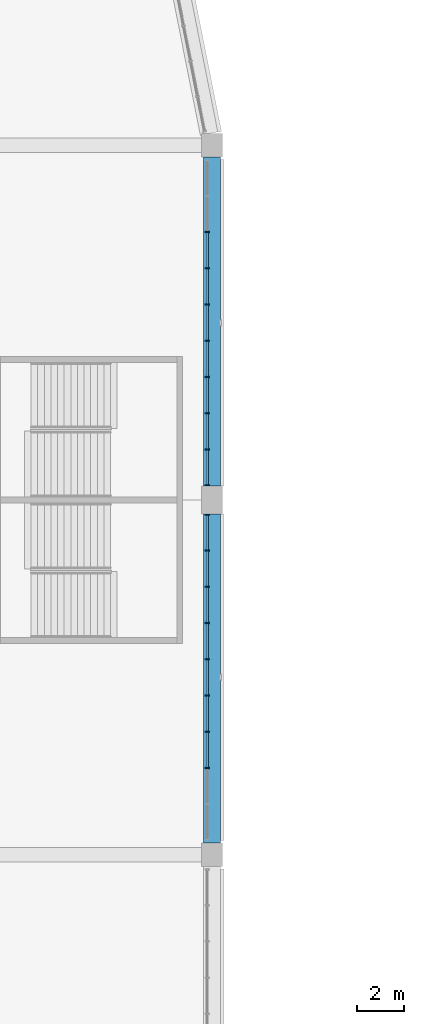
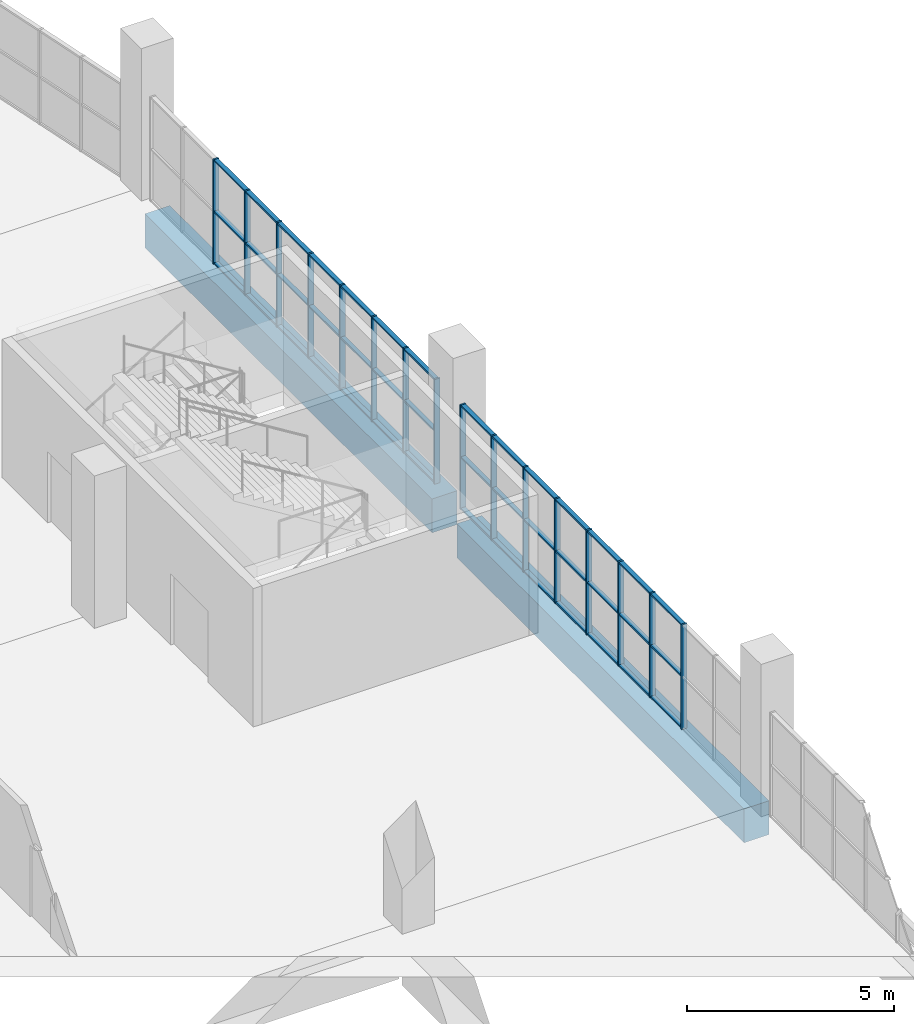
# One storey, part 49 of 199: 58 members, 2 beams, 2 elements without a shape of their own.
"""IFC4 building model written with IfcOpenShell, lengths in metres."""

from ifc_helpers import new_model, si_unit, direction, frame, origin, origin_2d, place, context, subcontext, project, spatial, rectangle, extrude, material, material_profile, profile_set, type_object, element, aggregate, save


model = new_model("IFC4")

# Units and contexts
model_context = context("Model", 3, precision=1e-05, world=origin(), true_north=direction((0.0, 1.0)))
body_context = subcontext(model_context, "Body", "Model", "MODEL_VIEW")
ifc_project = project(units=[si_unit("LENGTHUNIT", "METRE"), si_unit("AREAUNIT", "SQUARE_METRE"), si_unit("VOLUMEUNIT", "CUBIC_METRE"), si_unit("PLANEANGLEUNIT", "RADIAN"), si_unit("MASSUNIT", "GRAM", prefix="KILO")], contexts=[model_context])

# Site, building, storey
site_placement = place(None, origin())
site = spatial("IfcSite", under=ifc_project, at=site_placement, CompositionType="ELEMENT")
building_placement = place(site_placement, origin())
building = spatial("IfcBuilding", under=site, at=building_placement, Name="Ogive Plaza Stadium", CompositionType="ELEMENT")
storey_placement = place(building_placement, frame((0.0, 0.0, 4.5)))
storey = spatial("IfcBuildingStorey", under=building, at=storey_placement, Name="L01", CompositionType="ELEMENT", Elevation=4.5)

# Curtain wall, members
ifc_material_1 = material(Name="Bronze-anodised aluminium with laminated glass", Category="aluminium")
curtain_wall_type = type_object("IfcCurtainWallType", Name="Lancet curtain wall", PredefinedType="NOTDEFINED", material=ifc_material_1)
curtain_wall_1_placement = place(storey_placement, origin())
curtain_wall_1 = element("IfcCurtainWall", 1, at=curtain_wall_1_placement, inside=storey, type_object=curtain_wall_type, Name="CURTAIN WALL B01 L01", PredefinedType="NOTDEFINED")
ifc_material_2 = material(Name="Bronze-anodised aluminium", Category="aluminium")
ifc_material_profile_1 = material_profile(ifc_material_2, rectangle(XDim=0.14990234375, YDim=0.050048828125, at=origin_2d()), Name="AL 150x50")
ifc_profile_set_1 = profile_set([ifc_material_profile_1], Name="Bronze-anodised aluminium")
member_type_1 = type_object("IfcMemberType", Name="Curtain wall mullion 50x150", PredefinedType="MULLION", material=ifc_profile_set_1)
member_1_placement = place(storey_placement, frame((83.800048828125, 48.833251953125, 0.0), z_axis=(0.0, 0.0, 1.0), x_axis=(1.0, 0.0, 0.0)))
member_1 = element("IfcMember", 2, at=member_1_placement, type_object=member_type_1, Name="CW-B01-L01 mullion 3", PredefinedType="MULLION", context=body_context, shape_type="SweptSolid", body=[
    extrude(rectangle(XDim=0.14990234375, YDim=0.050048828125, at=origin_2d()), origin(), (0.0, 0.0, 1.0), 3.090087890625),
])
member_2_placement = place(storey_placement, frame((83.800048828125, 47.300048828125, 0.0), z_axis=(0.0, 0.0, 1.0), x_axis=(1.0, 0.0, 0.0)))
member_2 = element("IfcMember", 3, at=member_2_placement, type_object=member_type_1, Name="CW-B01-L01 mullion 4", PredefinedType="MULLION", context=body_context, shape_type="SweptSolid", body=[
    extrude(rectangle(XDim=0.14990234375, YDim=0.050048828125, at=origin_2d()), origin(), (0.0, 0.0, 1.0), 3.090087890625),
])
member_3_placement = place(storey_placement, frame((83.800048828125, 45.7666015625, 0.0), z_axis=(0.0, 0.0, 1.0), x_axis=(1.0, 0.0, 0.0)))
member_3 = element("IfcMember", 4, at=member_3_placement, type_object=member_type_1, Name="CW-B01-L01 mullion 5", PredefinedType="MULLION", context=body_context, shape_type="SweptSolid", body=[
    extrude(rectangle(XDim=0.14990234375, YDim=0.050048828125, at=origin_2d()), origin(), (0.0, 0.0, 1.0), 3.090087890625),
])
member_4_placement = place(storey_placement, frame((83.800048828125, 44.2333984375, 0.0), z_axis=(0.0, 0.0, 1.0), x_axis=(1.0, 0.0, 0.0)))
member_4 = element("IfcMember", 5, at=member_4_placement, type_object=member_type_1, Name="CW-B01-L01 mullion 6", PredefinedType="MULLION", context=body_context, shape_type="SweptSolid", body=[
    extrude(rectangle(XDim=0.14990234375, YDim=0.050048828125, at=origin_2d()), origin(), (0.0, 0.0, 1.0), 3.090087890625),
])
member_5_placement = place(storey_placement, frame((83.800048828125, 42.699951171875, 0.0), z_axis=(0.0, 0.0, 1.0), x_axis=(1.0, 0.0, 0.0)))
member_5 = element("IfcMember", 6, at=member_5_placement, type_object=member_type_1, Name="CW-B01-L01 mullion 7", PredefinedType="MULLION", context=body_context, shape_type="SweptSolid", body=[
    extrude(rectangle(XDim=0.14990234375, YDim=0.050048828125, at=origin_2d()), origin(), (0.0, 0.0, 1.0), 3.090087890625),
])
member_6_placement = place(storey_placement, frame((83.800048828125, 41.166748046875, 0.0), z_axis=(0.0, 0.0, 1.0), x_axis=(1.0, 0.0, 0.0)))
member_6 = element("IfcMember", 7, at=member_6_placement, type_object=member_type_1, Name="CW-B01-L01 mullion 8", PredefinedType="MULLION", context=body_context, shape_type="SweptSolid", body=[
    extrude(rectangle(XDim=0.14990234375, YDim=0.050048828125, at=origin_2d()), origin(), (0.0, 0.0, 1.0), 3.090087890625),
])
member_7_placement = place(storey_placement, frame((83.800048828125, 39.63330078125, 0.0), z_axis=(0.0, 0.0, 1.0), x_axis=(1.0, 0.0, 0.0)))
member_7 = element("IfcMember", 8, at=member_7_placement, type_object=member_type_1, Name="CW-B01-L01 mullion 9", PredefinedType="MULLION", context=body_context, shape_type="SweptSolid", body=[
    extrude(rectangle(XDim=0.14990234375, YDim=0.050048828125, at=origin_2d()), origin(), (0.0, 0.0, 1.0), 3.090087890625),
])
member_8_placement = place(storey_placement, frame((83.800048828125, 38.125, 0.0), z_axis=(0.0, 0.0, 1.0), x_axis=(1.0, 0.0, 0.0)))
member_8 = element("IfcMember", 9, at=member_8_placement, type_object=member_type_1, Name="CW-B01-L01 mullion 10", PredefinedType="MULLION", context=body_context, shape_type="SweptSolid", body=[
    extrude(rectangle(XDim=0.14990234375, YDim=0.050048828125, at=origin_2d()), origin(), (0.0, 0.0, 1.0), 3.090087890625),
])

curtain_wall_2_placement = place(storey_placement, origin())
curtain_wall_2 = element("IfcCurtainWall", 10, at=curtain_wall_2_placement, inside=storey, type_object=curtain_wall_type, Name="CURTAIN WALL B02 L01", PredefinedType="NOTDEFINED")
member_9_placement = place(storey_placement, frame((83.800048828125, 36.875, 0.0), z_axis=(0.0, 0.0, 1.0), x_axis=(1.0, 0.0, 0.0)))
member_9 = element("IfcMember", 11, at=member_9_placement, type_object=member_type_1, Name="CW-B02-L01 mullion 1", PredefinedType="MULLION", context=body_context, shape_type="SweptSolid", body=[
    extrude(rectangle(XDim=0.14990234375, YDim=0.050048828125, at=origin_2d()), origin(), (0.0, 0.0, 1.0), 3.090087890625),
])
member_10_placement = place(storey_placement, frame((83.800048828125, 35.36669921875, 0.0), z_axis=(0.0, 0.0, 1.0), x_axis=(1.0, 0.0, 0.0)))
member_10 = element("IfcMember", 12, at=member_10_placement, type_object=member_type_1, Name="CW-B02-L01 mullion 2", PredefinedType="MULLION", context=body_context, shape_type="SweptSolid", body=[
    extrude(rectangle(XDim=0.14990234375, YDim=0.050048828125, at=origin_2d()), origin(), (0.0, 0.0, 1.0), 3.090087890625),
])
member_11_placement = place(storey_placement, frame((83.800048828125, 33.833251953125, 0.0), z_axis=(0.0, 0.0, 1.0), x_axis=(1.0, 0.0, 0.0)))
member_11 = element("IfcMember", 13, at=member_11_placement, type_object=member_type_1, Name="CW-B02-L01 mullion 3", PredefinedType="MULLION", context=body_context, shape_type="SweptSolid", body=[
    extrude(rectangle(XDim=0.14990234375, YDim=0.050048828125, at=origin_2d()), origin(), (0.0, 0.0, 1.0), 3.090087890625),
])
member_12_placement = place(storey_placement, frame((83.800048828125, 32.300048828125, 0.0), z_axis=(0.0, 0.0, 1.0), x_axis=(1.0, 0.0, 0.0)))
member_12 = element("IfcMember", 14, at=member_12_placement, type_object=member_type_1, Name="CW-B02-L01 mullion 4", PredefinedType="MULLION", context=body_context, shape_type="SweptSolid", body=[
    extrude(rectangle(XDim=0.14990234375, YDim=0.050048828125, at=origin_2d()), origin(), (0.0, 0.0, 1.0), 3.090087890625),
])
member_13_placement = place(storey_placement, frame((83.800048828125, 30.7666015625, 0.0), z_axis=(0.0, 0.0, 1.0), x_axis=(1.0, 0.0, 0.0)))
member_13 = element("IfcMember", 15, at=member_13_placement, type_object=member_type_1, Name="CW-B02-L01 mullion 5", PredefinedType="MULLION", context=body_context, shape_type="SweptSolid", body=[
    extrude(rectangle(XDim=0.14990234375, YDim=0.050048828125, at=origin_2d()), origin(), (0.0, 0.0, 1.0), 3.090087890625),
])
member_14_placement = place(storey_placement, frame((83.800048828125, 29.2333984375, 0.0), z_axis=(0.0, 0.0, 1.0), x_axis=(1.0, 0.0, 0.0)))
member_14 = element("IfcMember", 16, at=member_14_placement, type_object=member_type_1, Name="CW-B02-L01 mullion 6", PredefinedType="MULLION", context=body_context, shape_type="SweptSolid", body=[
    extrude(rectangle(XDim=0.14990234375, YDim=0.050048828125, at=origin_2d()), origin(), (0.0, 0.0, 1.0), 3.090087890625),
])
member_15_placement = place(storey_placement, frame((83.800048828125, 27.699951171875, 0.0), z_axis=(0.0, 0.0, 1.0), x_axis=(1.0, 0.0, 0.0)))
member_15 = element("IfcMember", 17, at=member_15_placement, type_object=member_type_1, Name="CW-B02-L01 mullion 7", PredefinedType="MULLION", context=body_context, shape_type="SweptSolid", body=[
    extrude(rectangle(XDim=0.14990234375, YDim=0.050048828125, at=origin_2d()), origin(), (0.0, 0.0, 1.0), 3.090087890625),
])
member_16_placement = place(storey_placement, frame((83.800048828125, 26.166748046875, 0.0), z_axis=(0.0, 0.0, 1.0), x_axis=(1.0, 0.0, 0.0)))
member_16 = element("IfcMember", 18, at=member_16_placement, type_object=member_type_1, Name="CW-B02-L01 mullion 8", PredefinedType="MULLION", context=body_context, shape_type="SweptSolid", body=[
    extrude(rectangle(XDim=0.14990234375, YDim=0.050048828125, at=origin_2d()), origin(), (0.0, 0.0, 1.0), 3.090087890625),
])

# Member
ifc_material_3 = material(Name="Bronze-anodised aluminium", Category="aluminium")
ifc_material_profile_2 = material_profile(ifc_material_3, rectangle(XDim=0.1201171875, YDim=0.050048828125, at=origin_2d()), Name="AL 120x50")
ifc_profile_set_2 = profile_set([ifc_material_profile_2], Name="Bronze-anodised aluminium")
member_type_2 = type_object("IfcMemberType", Name="Curtain wall transom 50x120", PredefinedType="USERDEFINED", material=ifc_profile_set_2)
member_17_placement = place(storey_placement, frame((83.800048828125, 48.808349609375, 0.02490234375), z_axis=(0.0, -1.0, 0.0), x_axis=(1.0, 0.0, 0.0)))
member_17 = element("IfcMember", 19, at=member_17_placement, type_object=member_type_2, Name="CW-B01-L01 transom 3.1", ObjectType="TRANSOM", PredefinedType="USERDEFINED", context=body_context, shape_type="SweptSolid", body=[
    extrude(rectangle(XDim=0.1201171875, YDim=0.050048828125, at=origin_2d()), origin(), (0.0, 0.0, 1.0), 1.4833984375),
])

member_18_placement = place(storey_placement, frame((83.800048828125, 48.808349609375, 1.544921875), z_axis=(0.0, -1.0, 0.0), x_axis=(1.0, 0.0, 0.0)))
member_18 = element("IfcMember", 20, at=member_18_placement, type_object=member_type_2, Name="CW-B01-L01 transom 3.2", ObjectType="TRANSOM", PredefinedType="USERDEFINED", context=body_context, shape_type="SweptSolid", body=[
    extrude(rectangle(XDim=0.1201171875, YDim=0.050048828125, at=origin_2d()), origin(), (0.0, 0.0, 1.0), 1.4833984375),
])

member_19_placement = place(storey_placement, frame((83.800048828125, 48.808349609375, 3.06494140625), z_axis=(0.0, -1.0, 0.0), x_axis=(1.0, 0.0, 0.0)))
member_19 = element("IfcMember", 21, at=member_19_placement, type_object=member_type_2, Name="CW-B01-L01 transom 3.3", ObjectType="TRANSOM", PredefinedType="USERDEFINED", context=body_context, shape_type="SweptSolid", body=[
    extrude(rectangle(XDim=0.1201171875, YDim=0.050048828125, at=origin_2d()), origin(), (0.0, 0.0, 1.0), 1.4833984375),
])

member_20_placement = place(storey_placement, frame((83.800048828125, 47.27490234375, 0.02490234375), z_axis=(0.0, -1.0, 0.0), x_axis=(1.0, 0.0, 0.0)))
member_20 = element("IfcMember", 22, at=member_20_placement, type_object=member_type_2, Name="CW-B01-L01 transom 4.1", ObjectType="TRANSOM", PredefinedType="USERDEFINED", context=body_context, shape_type="SweptSolid", body=[
    extrude(rectangle(XDim=0.1201171875, YDim=0.050048828125, at=origin_2d()), origin(), (0.0, 0.0, 1.0), 1.483154296875),
])

member_21_placement = place(storey_placement, frame((83.800048828125, 47.27490234375, 1.544921875), z_axis=(0.0, -1.0, 0.0), x_axis=(1.0, 0.0, 0.0)))
member_21 = element("IfcMember", 23, at=member_21_placement, type_object=member_type_2, Name="CW-B01-L01 transom 4.2", ObjectType="TRANSOM", PredefinedType="USERDEFINED", context=body_context, shape_type="SweptSolid", body=[
    extrude(rectangle(XDim=0.1201171875, YDim=0.050048828125, at=origin_2d()), origin(), (0.0, 0.0, 1.0), 1.483154296875),
])

member_22_placement = place(storey_placement, frame((83.800048828125, 47.27490234375, 3.06494140625), z_axis=(0.0, -1.0, 0.0), x_axis=(1.0, 0.0, 0.0)))
member_22 = element("IfcMember", 24, at=member_22_placement, type_object=member_type_2, Name="CW-B01-L01 transom 4.3", ObjectType="TRANSOM", PredefinedType="USERDEFINED", context=body_context, shape_type="SweptSolid", body=[
    extrude(rectangle(XDim=0.1201171875, YDim=0.050048828125, at=origin_2d()), origin(), (0.0, 0.0, 1.0), 1.483154296875),
])

member_23_placement = place(storey_placement, frame((83.800048828125, 45.74169921875, 0.02490234375), z_axis=(0.0, -1.0, 0.0), x_axis=(1.0, 0.0, 0.0)))
member_23 = element("IfcMember", 25, at=member_23_placement, type_object=member_type_2, Name="CW-B01-L01 transom 5.1", ObjectType="TRANSOM", PredefinedType="USERDEFINED", context=body_context, shape_type="SweptSolid", body=[
    extrude(rectangle(XDim=0.1201171875, YDim=0.050048828125, at=origin_2d()), origin(), (0.0, 0.0, 1.0), 1.4833984375),
])

member_24_placement = place(storey_placement, frame((83.800048828125, 45.74169921875, 1.544921875), z_axis=(0.0, -1.0, 0.0), x_axis=(1.0, 0.0, 0.0)))
member_24 = element("IfcMember", 26, at=member_24_placement, type_object=member_type_2, Name="CW-B01-L01 transom 5.2", ObjectType="TRANSOM", PredefinedType="USERDEFINED", context=body_context, shape_type="SweptSolid", body=[
    extrude(rectangle(XDim=0.1201171875, YDim=0.050048828125, at=origin_2d()), origin(), (0.0, 0.0, 1.0), 1.4833984375),
])

member_25_placement = place(storey_placement, frame((83.800048828125, 45.74169921875, 3.06494140625), z_axis=(0.0, -1.0, 0.0), x_axis=(1.0, 0.0, 0.0)))
member_25 = element("IfcMember", 27, at=member_25_placement, type_object=member_type_2, Name="CW-B01-L01 transom 5.3", ObjectType="TRANSOM", PredefinedType="USERDEFINED", context=body_context, shape_type="SweptSolid", body=[
    extrude(rectangle(XDim=0.1201171875, YDim=0.050048828125, at=origin_2d()), origin(), (0.0, 0.0, 1.0), 1.4833984375),
])

member_26_placement = place(storey_placement, frame((83.800048828125, 44.208251953125, 0.02490234375), z_axis=(0.0, -1.0, 0.0), x_axis=(1.0, 0.0, 0.0)))
member_26 = element("IfcMember", 28, at=member_26_placement, type_object=member_type_2, Name="CW-B01-L01 transom 6.1", ObjectType="TRANSOM", PredefinedType="USERDEFINED", context=body_context, shape_type="SweptSolid", body=[
    extrude(rectangle(XDim=0.1201171875, YDim=0.050048828125, at=origin_2d()), origin(), (0.0, 0.0, 1.0), 1.483154296875),
])

member_27_placement = place(storey_placement, frame((83.800048828125, 44.208251953125, 1.544921875), z_axis=(0.0, -1.0, 0.0), x_axis=(1.0, 0.0, 0.0)))
member_27 = element("IfcMember", 29, at=member_27_placement, type_object=member_type_2, Name="CW-B01-L01 transom 6.2", ObjectType="TRANSOM", PredefinedType="USERDEFINED", context=body_context, shape_type="SweptSolid", body=[
    extrude(rectangle(XDim=0.1201171875, YDim=0.050048828125, at=origin_2d()), origin(), (0.0, 0.0, 1.0), 1.483154296875),
])

member_28_placement = place(storey_placement, frame((83.800048828125, 44.208251953125, 3.06494140625), z_axis=(0.0, -1.0, 0.0), x_axis=(1.0, 0.0, 0.0)))
member_28 = element("IfcMember", 30, at=member_28_placement, type_object=member_type_2, Name="CW-B01-L01 transom 6.3", ObjectType="TRANSOM", PredefinedType="USERDEFINED", context=body_context, shape_type="SweptSolid", body=[
    extrude(rectangle(XDim=0.1201171875, YDim=0.050048828125, at=origin_2d()), origin(), (0.0, 0.0, 1.0), 1.483154296875),
])

member_29_placement = place(storey_placement, frame((83.800048828125, 42.675048828125, 0.02490234375), z_axis=(0.0, -1.0, 0.0), x_axis=(1.0, 0.0, 0.0)))
member_29 = element("IfcMember", 31, at=member_29_placement, type_object=member_type_2, Name="CW-B01-L01 transom 7.1", ObjectType="TRANSOM", PredefinedType="USERDEFINED", context=body_context, shape_type="SweptSolid", body=[
    extrude(rectangle(XDim=0.1201171875, YDim=0.050048828125, at=origin_2d()), origin(), (0.0, 0.0, 1.0), 1.4833984375),
])

member_30_placement = place(storey_placement, frame((83.800048828125, 42.675048828125, 1.544921875), z_axis=(0.0, -1.0, 0.0), x_axis=(1.0, 0.0, 0.0)))
member_30 = element("IfcMember", 32, at=member_30_placement, type_object=member_type_2, Name="CW-B01-L01 transom 7.2", ObjectType="TRANSOM", PredefinedType="USERDEFINED", context=body_context, shape_type="SweptSolid", body=[
    extrude(rectangle(XDim=0.1201171875, YDim=0.050048828125, at=origin_2d()), origin(), (0.0, 0.0, 1.0), 1.4833984375),
])

member_31_placement = place(storey_placement, frame((83.800048828125, 42.675048828125, 3.06494140625), z_axis=(0.0, -1.0, 0.0), x_axis=(1.0, 0.0, 0.0)))
member_31 = element("IfcMember", 33, at=member_31_placement, type_object=member_type_2, Name="CW-B01-L01 transom 7.3", ObjectType="TRANSOM", PredefinedType="USERDEFINED", context=body_context, shape_type="SweptSolid", body=[
    extrude(rectangle(XDim=0.1201171875, YDim=0.050048828125, at=origin_2d()), origin(), (0.0, 0.0, 1.0), 1.4833984375),
])

member_32_placement = place(storey_placement, frame((83.800048828125, 41.1416015625, 0.02490234375), z_axis=(0.0, -1.0, 0.0), x_axis=(1.0, 0.0, 0.0)))
member_32 = element("IfcMember", 34, at=member_32_placement, type_object=member_type_2, Name="CW-B01-L01 transom 8.1", ObjectType="TRANSOM", PredefinedType="USERDEFINED", context=body_context, shape_type="SweptSolid", body=[
    extrude(rectangle(XDim=0.1201171875, YDim=0.050048828125, at=origin_2d()), origin(), (0.0, 0.0, 1.0), 1.483154296875),
])

member_33_placement = place(storey_placement, frame((83.800048828125, 41.1416015625, 1.544921875), z_axis=(0.0, -1.0, 0.0), x_axis=(1.0, 0.0, 0.0)))
member_33 = element("IfcMember", 35, at=member_33_placement, type_object=member_type_2, Name="CW-B01-L01 transom 8.2", ObjectType="TRANSOM", PredefinedType="USERDEFINED", context=body_context, shape_type="SweptSolid", body=[
    extrude(rectangle(XDim=0.1201171875, YDim=0.050048828125, at=origin_2d()), origin(), (0.0, 0.0, 1.0), 1.483154296875),
])

member_34_placement = place(storey_placement, frame((83.800048828125, 41.1416015625, 3.06494140625), z_axis=(0.0, -1.0, 0.0), x_axis=(1.0, 0.0, 0.0)))
member_34 = element("IfcMember", 36, at=member_34_placement, type_object=member_type_2, Name="CW-B01-L01 transom 8.3", ObjectType="TRANSOM", PredefinedType="USERDEFINED", context=body_context, shape_type="SweptSolid", body=[
    extrude(rectangle(XDim=0.1201171875, YDim=0.050048828125, at=origin_2d()), origin(), (0.0, 0.0, 1.0), 1.483154296875),
])

member_35_placement = place(storey_placement, frame((83.800048828125, 39.6083984375, 0.02490234375), z_axis=(0.0, -1.0, 0.0), x_axis=(1.0, 0.0, 0.0)))
member_35 = element("IfcMember", 37, at=member_35_placement, type_object=member_type_2, Name="CW-B01-L01 transom 9.1", ObjectType="TRANSOM", PredefinedType="USERDEFINED", context=body_context, shape_type="SweptSolid", body=[
    extrude(rectangle(XDim=0.1201171875, YDim=0.050048828125, at=origin_2d()), origin(), (0.0, 0.0, 1.0), 1.45849609375),
])

member_36_placement = place(storey_placement, frame((83.800048828125, 39.6083984375, 1.544921875), z_axis=(0.0, -1.0, 0.0), x_axis=(1.0, 0.0, 0.0)))
member_36 = element("IfcMember", 38, at=member_36_placement, type_object=member_type_2, Name="CW-B01-L01 transom 9.2", ObjectType="TRANSOM", PredefinedType="USERDEFINED", context=body_context, shape_type="SweptSolid", body=[
    extrude(rectangle(XDim=0.1201171875, YDim=0.050048828125, at=origin_2d()), origin(), (0.0, 0.0, 1.0), 1.45849609375),
])

member_37_placement = place(storey_placement, frame((83.800048828125, 39.6083984375, 3.06494140625), z_axis=(0.0, -1.0, 0.0), x_axis=(1.0, 0.0, 0.0)))
member_37 = element("IfcMember", 39, at=member_37_placement, type_object=member_type_2, Name="CW-B01-L01 transom 9.3", ObjectType="TRANSOM", PredefinedType="USERDEFINED", context=body_context, shape_type="SweptSolid", body=[
    extrude(rectangle(XDim=0.1201171875, YDim=0.050048828125, at=origin_2d()), origin(), (0.0, 0.0, 1.0), 1.45849609375),
])

aggregate(curtain_wall_1, [member_1, member_2, member_3, member_4, member_5, member_6, member_7, member_8, member_17, member_18, member_19, member_20, member_21, member_22, member_23, member_24, member_25, member_26, member_27, member_28, member_29, member_30, member_31, member_32, member_33, member_34, member_35, member_36, member_37])

member_38_placement = place(storey_placement, frame((83.800048828125, 36.85009765625, 0.02490234375), z_axis=(0.0, -1.0, 0.0), x_axis=(1.0, 0.0, 0.0)))
member_38 = element("IfcMember", 40, at=member_38_placement, type_object=member_type_2, Name="CW-B02-L01 transom 1.1", ObjectType="TRANSOM", PredefinedType="USERDEFINED", context=body_context, shape_type="SweptSolid", body=[
    extrude(rectangle(XDim=0.1201171875, YDim=0.050048828125, at=origin_2d()), origin(), (0.0, 0.0, 1.0), 1.45849609375),
])

member_39_placement = place(storey_placement, frame((83.800048828125, 36.85009765625, 1.544921875), z_axis=(0.0, -1.0, 0.0), x_axis=(1.0, 0.0, 0.0)))
member_39 = element("IfcMember", 41, at=member_39_placement, type_object=member_type_2, Name="CW-B02-L01 transom 1.2", ObjectType="TRANSOM", PredefinedType="USERDEFINED", context=body_context, shape_type="SweptSolid", body=[
    extrude(rectangle(XDim=0.1201171875, YDim=0.050048828125, at=origin_2d()), origin(), (0.0, 0.0, 1.0), 1.45849609375),
])

member_40_placement = place(storey_placement, frame((83.800048828125, 36.85009765625, 3.06494140625), z_axis=(0.0, -1.0, 0.0), x_axis=(1.0, 0.0, 0.0)))
member_40 = element("IfcMember", 42, at=member_40_placement, type_object=member_type_2, Name="CW-B02-L01 transom 1.3", ObjectType="TRANSOM", PredefinedType="USERDEFINED", context=body_context, shape_type="SweptSolid", body=[
    extrude(rectangle(XDim=0.1201171875, YDim=0.050048828125, at=origin_2d()), origin(), (0.0, 0.0, 1.0), 1.45849609375),
])

member_41_placement = place(storey_placement, frame((83.800048828125, 35.341552734375, 0.02490234375), z_axis=(0.0, -1.0, 0.0), x_axis=(1.0, 0.0, 0.0)))
member_41 = element("IfcMember", 43, at=member_41_placement, type_object=member_type_2, Name="CW-B02-L01 transom 2.1", ObjectType="TRANSOM", PredefinedType="USERDEFINED", context=body_context, shape_type="SweptSolid", body=[
    extrude(rectangle(XDim=0.1201171875, YDim=0.050048828125, at=origin_2d()), origin(), (0.0, 0.0, 1.0), 1.483154296875),
])

member_42_placement = place(storey_placement, frame((83.800048828125, 35.341552734375, 1.544921875), z_axis=(0.0, -1.0, 0.0), x_axis=(1.0, 0.0, 0.0)))
member_42 = element("IfcMember", 44, at=member_42_placement, type_object=member_type_2, Name="CW-B02-L01 transom 2.2", ObjectType="TRANSOM", PredefinedType="USERDEFINED", context=body_context, shape_type="SweptSolid", body=[
    extrude(rectangle(XDim=0.1201171875, YDim=0.050048828125, at=origin_2d()), origin(), (0.0, 0.0, 1.0), 1.483154296875),
])

member_43_placement = place(storey_placement, frame((83.800048828125, 35.341552734375, 3.06494140625), z_axis=(0.0, -1.0, 0.0), x_axis=(1.0, 0.0, 0.0)))
member_43 = element("IfcMember", 45, at=member_43_placement, type_object=member_type_2, Name="CW-B02-L01 transom 2.3", ObjectType="TRANSOM", PredefinedType="USERDEFINED", context=body_context, shape_type="SweptSolid", body=[
    extrude(rectangle(XDim=0.1201171875, YDim=0.050048828125, at=origin_2d()), origin(), (0.0, 0.0, 1.0), 1.483154296875),
])

member_44_placement = place(storey_placement, frame((83.800048828125, 33.808349609375, 0.02490234375), z_axis=(0.0, -1.0, 0.0), x_axis=(1.0, 0.0, 0.0)))
member_44 = element("IfcMember", 46, at=member_44_placement, type_object=member_type_2, Name="CW-B02-L01 transom 3.1", ObjectType="TRANSOM", PredefinedType="USERDEFINED", context=body_context, shape_type="SweptSolid", body=[
    extrude(rectangle(XDim=0.1201171875, YDim=0.050048828125, at=origin_2d()), origin(), (0.0, 0.0, 1.0), 1.4833984375),
])

member_45_placement = place(storey_placement, frame((83.800048828125, 33.808349609375, 1.544921875), z_axis=(0.0, -1.0, 0.0), x_axis=(1.0, 0.0, 0.0)))
member_45 = element("IfcMember", 47, at=member_45_placement, type_object=member_type_2, Name="CW-B02-L01 transom 3.2", ObjectType="TRANSOM", PredefinedType="USERDEFINED", context=body_context, shape_type="SweptSolid", body=[
    extrude(rectangle(XDim=0.1201171875, YDim=0.050048828125, at=origin_2d()), origin(), (0.0, 0.0, 1.0), 1.4833984375),
])

member_46_placement = place(storey_placement, frame((83.800048828125, 33.808349609375, 3.06494140625), z_axis=(0.0, -1.0, 0.0), x_axis=(1.0, 0.0, 0.0)))
member_46 = element("IfcMember", 48, at=member_46_placement, type_object=member_type_2, Name="CW-B02-L01 transom 3.3", ObjectType="TRANSOM", PredefinedType="USERDEFINED", context=body_context, shape_type="SweptSolid", body=[
    extrude(rectangle(XDim=0.1201171875, YDim=0.050048828125, at=origin_2d()), origin(), (0.0, 0.0, 1.0), 1.4833984375),
])

member_47_placement = place(storey_placement, frame((83.800048828125, 32.27490234375, 0.02490234375), z_axis=(0.0, -1.0, 0.0), x_axis=(1.0, 0.0, 0.0)))
member_47 = element("IfcMember", 49, at=member_47_placement, type_object=member_type_2, Name="CW-B02-L01 transom 4.1", ObjectType="TRANSOM", PredefinedType="USERDEFINED", context=body_context, shape_type="SweptSolid", body=[
    extrude(rectangle(XDim=0.1201171875, YDim=0.050048828125, at=origin_2d()), origin(), (0.0, 0.0, 1.0), 1.483154296875),
])

member_48_placement = place(storey_placement, frame((83.800048828125, 32.27490234375, 1.544921875), z_axis=(0.0, -1.0, 0.0), x_axis=(1.0, 0.0, 0.0)))
member_48 = element("IfcMember", 50, at=member_48_placement, type_object=member_type_2, Name="CW-B02-L01 transom 4.2", ObjectType="TRANSOM", PredefinedType="USERDEFINED", context=body_context, shape_type="SweptSolid", body=[
    extrude(rectangle(XDim=0.1201171875, YDim=0.050048828125, at=origin_2d()), origin(), (0.0, 0.0, 1.0), 1.483154296875),
])

member_49_placement = place(storey_placement, frame((83.800048828125, 32.27490234375, 3.06494140625), z_axis=(0.0, -1.0, 0.0), x_axis=(1.0, 0.0, 0.0)))
member_49 = element("IfcMember", 51, at=member_49_placement, type_object=member_type_2, Name="CW-B02-L01 transom 4.3", ObjectType="TRANSOM", PredefinedType="USERDEFINED", context=body_context, shape_type="SweptSolid", body=[
    extrude(rectangle(XDim=0.1201171875, YDim=0.050048828125, at=origin_2d()), origin(), (0.0, 0.0, 1.0), 1.483154296875),
])

member_50_placement = place(storey_placement, frame((83.800048828125, 30.74169921875, 0.02490234375), z_axis=(0.0, -1.0, 0.0), x_axis=(1.0, 0.0, 0.0)))
member_50 = element("IfcMember", 52, at=member_50_placement, type_object=member_type_2, Name="CW-B02-L01 transom 5.1", ObjectType="TRANSOM", PredefinedType="USERDEFINED", context=body_context, shape_type="SweptSolid", body=[
    extrude(rectangle(XDim=0.1201171875, YDim=0.050048828125, at=origin_2d()), origin(), (0.0, 0.0, 1.0), 1.4833984375),
])

member_51_placement = place(storey_placement, frame((83.800048828125, 30.74169921875, 1.544921875), z_axis=(0.0, -1.0, 0.0), x_axis=(1.0, 0.0, 0.0)))
member_51 = element("IfcMember", 53, at=member_51_placement, type_object=member_type_2, Name="CW-B02-L01 transom 5.2", ObjectType="TRANSOM", PredefinedType="USERDEFINED", context=body_context, shape_type="SweptSolid", body=[
    extrude(rectangle(XDim=0.1201171875, YDim=0.050048828125, at=origin_2d()), origin(), (0.0, 0.0, 1.0), 1.4833984375),
])

member_52_placement = place(storey_placement, frame((83.800048828125, 30.74169921875, 3.06494140625), z_axis=(0.0, -1.0, 0.0), x_axis=(1.0, 0.0, 0.0)))
member_52 = element("IfcMember", 54, at=member_52_placement, type_object=member_type_2, Name="CW-B02-L01 transom 5.3", ObjectType="TRANSOM", PredefinedType="USERDEFINED", context=body_context, shape_type="SweptSolid", body=[
    extrude(rectangle(XDim=0.1201171875, YDim=0.050048828125, at=origin_2d()), origin(), (0.0, 0.0, 1.0), 1.4833984375),
])

member_53_placement = place(storey_placement, frame((83.800048828125, 29.208251953125, 0.02490234375), z_axis=(0.0, -1.0, 0.0), x_axis=(1.0, 0.0, 0.0)))
member_53 = element("IfcMember", 55, at=member_53_placement, type_object=member_type_2, Name="CW-B02-L01 transom 6.1", ObjectType="TRANSOM", PredefinedType="USERDEFINED", context=body_context, shape_type="SweptSolid", body=[
    extrude(rectangle(XDim=0.1201171875, YDim=0.050048828125, at=origin_2d()), origin(), (0.0, 0.0, 1.0), 1.483154296875),
])

member_54_placement = place(storey_placement, frame((83.800048828125, 29.208251953125, 1.544921875), z_axis=(0.0, -1.0, 0.0), x_axis=(1.0, 0.0, 0.0)))
member_54 = element("IfcMember", 56, at=member_54_placement, type_object=member_type_2, Name="CW-B02-L01 transom 6.2", ObjectType="TRANSOM", PredefinedType="USERDEFINED", context=body_context, shape_type="SweptSolid", body=[
    extrude(rectangle(XDim=0.1201171875, YDim=0.050048828125, at=origin_2d()), origin(), (0.0, 0.0, 1.0), 1.483154296875),
])

member_55_placement = place(storey_placement, frame((83.800048828125, 29.208251953125, 3.06494140625), z_axis=(0.0, -1.0, 0.0), x_axis=(1.0, 0.0, 0.0)))
member_55 = element("IfcMember", 57, at=member_55_placement, type_object=member_type_2, Name="CW-B02-L01 transom 6.3", ObjectType="TRANSOM", PredefinedType="USERDEFINED", context=body_context, shape_type="SweptSolid", body=[
    extrude(rectangle(XDim=0.1201171875, YDim=0.050048828125, at=origin_2d()), origin(), (0.0, 0.0, 1.0), 1.483154296875),
])

member_56_placement = place(storey_placement, frame((83.800048828125, 27.675048828125, 0.02490234375), z_axis=(0.0, -1.0, 0.0), x_axis=(1.0, 0.0, 0.0)))
member_56 = element("IfcMember", 58, at=member_56_placement, type_object=member_type_2, Name="CW-B02-L01 transom 7.1", ObjectType="TRANSOM", PredefinedType="USERDEFINED", context=body_context, shape_type="SweptSolid", body=[
    extrude(rectangle(XDim=0.1201171875, YDim=0.050048828125, at=origin_2d()), origin(), (0.0, 0.0, 1.0), 1.4833984375),
])

member_57_placement = place(storey_placement, frame((83.800048828125, 27.675048828125, 1.544921875), z_axis=(0.0, -1.0, 0.0), x_axis=(1.0, 0.0, 0.0)))
member_57 = element("IfcMember", 59, at=member_57_placement, type_object=member_type_2, Name="CW-B02-L01 transom 7.2", ObjectType="TRANSOM", PredefinedType="USERDEFINED", context=body_context, shape_type="SweptSolid", body=[
    extrude(rectangle(XDim=0.1201171875, YDim=0.050048828125, at=origin_2d()), origin(), (0.0, 0.0, 1.0), 1.4833984375),
])

member_58_placement = place(storey_placement, frame((83.800048828125, 27.675048828125, 3.06494140625), z_axis=(0.0, -1.0, 0.0), x_axis=(1.0, 0.0, 0.0)))
member_58 = element("IfcMember", 60, at=member_58_placement, type_object=member_type_2, Name="CW-B02-L01 transom 7.3", ObjectType="TRANSOM", PredefinedType="USERDEFINED", context=body_context, shape_type="SweptSolid", body=[
    extrude(rectangle(XDim=0.1201171875, YDim=0.050048828125, at=origin_2d()), origin(), (0.0, 0.0, 1.0), 1.4833984375),
])

aggregate(curtain_wall_2, [member_9, member_10, member_11, member_12, member_13, member_14, member_15, member_16, member_38, member_39, member_40, member_41, member_42, member_43, member_44, member_45, member_46, member_47, member_48, member_49, member_50, member_51, member_52, member_53, member_54, member_55, member_56, member_57, member_58])

# Beams
ifc_material_4 = material(Name="Concrete C40/50", Category="concrete")
ifc_material_profile_3 = material_profile(ifc_material_4, rectangle(XDim=0.699951171875, YDim=1.0, at=origin_2d()), Name="RC 700x1000")
ifc_profile_set_3 = profile_set([ifc_material_profile_3], Name="Concrete C40/50")
beam_type = type_object("IfcBeamType", Name="RC spandrel beam 700x1000", PredefinedType="SPANDREL", material=ifc_profile_set_3)
for number, where, z_axis, x_axis, name in (
    (61, (84.0, 52.0, -0.909912109375), (0.0, -1.0, 0.0), (1.0, 0.0, 0.0), "Ring beam F5 L01 B01"),
    (62, (84.0, 36.89990234375, -0.909912109375), (0.0, -1.0, 0.0), (1.0, 0.0, 0.0), "Ring beam F5 L01 B02"),
):
    element("IfcBeam", number, at=place(storey_placement, frame(where, z_axis=z_axis, x_axis=x_axis)), inside=storey, type_object=beam_type, Name=name, PredefinedType="SPANDREL", context=body_context, shape_type="SweptSolid", body=[
        extrude(rectangle(XDim=0.699951171875, YDim=1.0, at=origin_2d()), origin(), (0.0, 0.0, 1.0), 13.89990234375),
    ])

save(model, "model.ifc")
